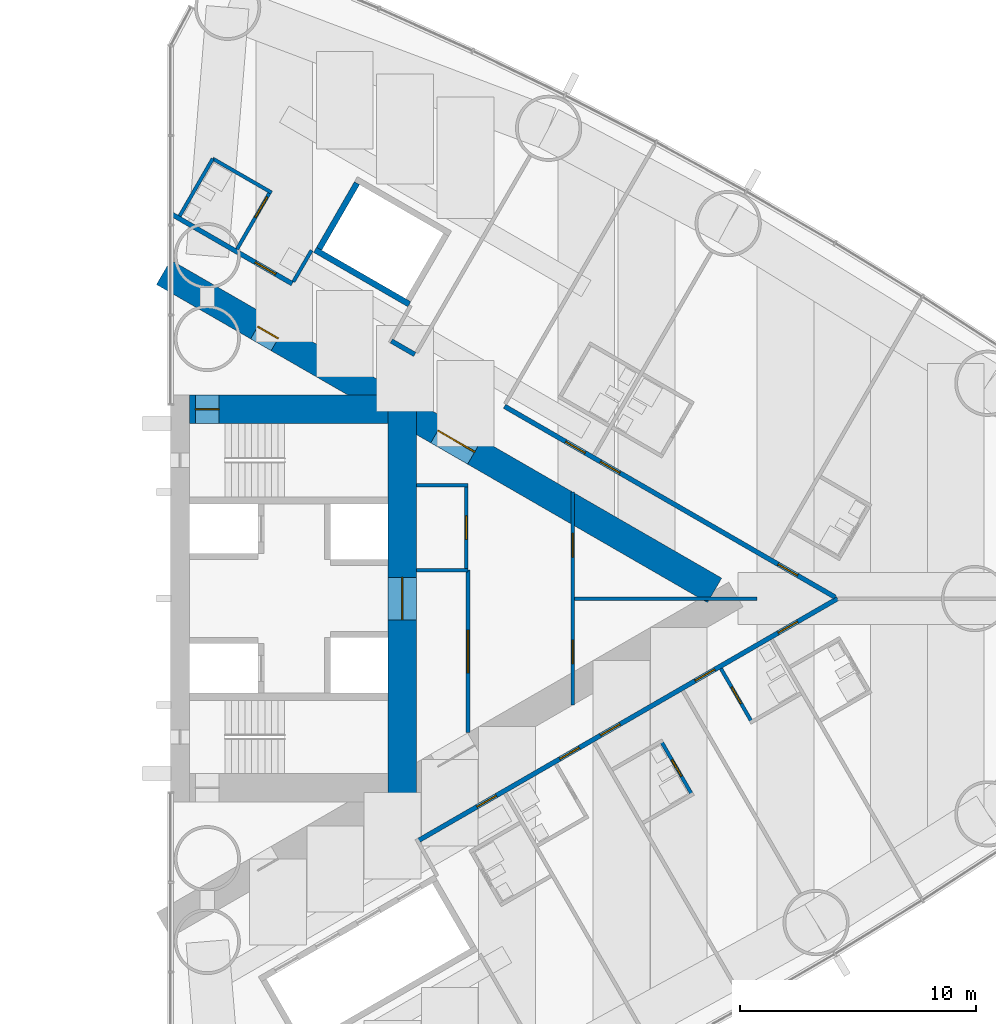
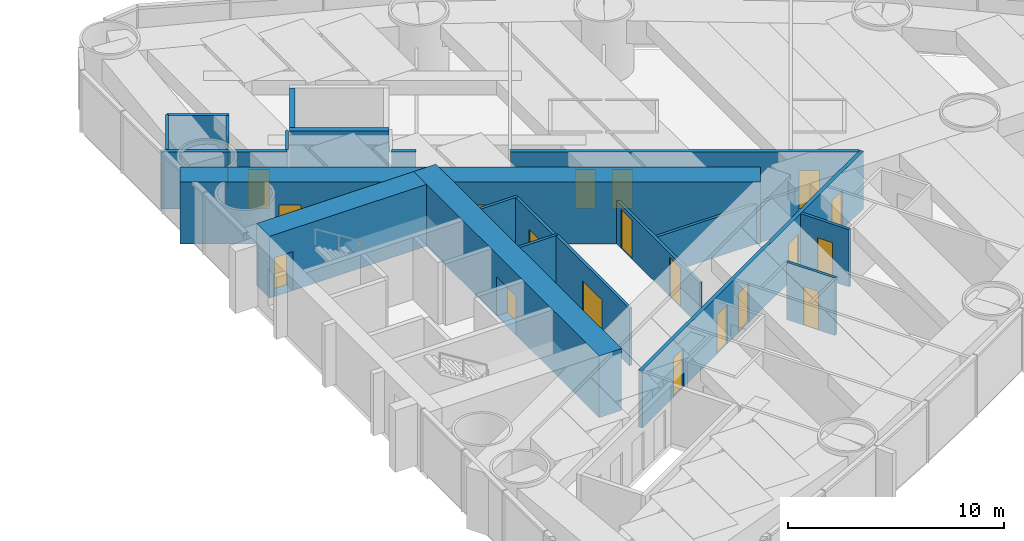
# One storey, part 15 of 19: 21 walls, 20 doors, 20 openings.
"""IFC4 building model written with IfcOpenShell, lengths in metres."""

from ifc_helpers import new_model, si_unit, direction, frame, frame_2d, origin, place, context, subcontext, project, spatial, rectangle, extrude, material, layer, layer_set, type_object, element, fill, save


model = new_model("IFC4")

# Units and contexts
model_context = context("Model", 3, precision=1e-05, world=origin(), true_north=direction((0.0, 1.0)))
body_context = subcontext(model_context, "Body", "Model", "MODEL_VIEW")
ifc_project = project(units=[si_unit("LENGTHUNIT", "METRE"), si_unit("AREAUNIT", "SQUARE_METRE"), si_unit("VOLUMEUNIT", "CUBIC_METRE"), si_unit("PLANEANGLEUNIT", "RADIAN"), si_unit("MASSUNIT", "GRAM", prefix="KILO")], contexts=[model_context])

# Site, building, storey
site_placement = place(None, origin())
site = spatial("IfcSite", under=ifc_project, at=site_placement, CompositionType="ELEMENT")
building_placement = place(site_placement, origin())
building = spatial("IfcBuilding", under=site, at=building_placement, Name="Lancet Gate Hotel", CompositionType="ELEMENT")
storey_placement = place(building_placement, frame((0.0, 0.0, 63.5)))
storey = spatial("IfcBuildingStorey", under=building, at=storey_placement, Name="L16", CompositionType="ELEMENT", Elevation=63.5)

# Wall, opening, door
ifc_material_1 = material(Name="Moisture resistant board partition")
ifc_layer_1 = layer(ifc_material_1, 0.14990234375)
ifc_layer_set_1 = layer_set([ifc_layer_1], Name="Bathroom wall 150")
wall_type_1 = type_object("IfcWallType", Name="Bathroom wall 150", PredefinedType="PARTITIONING", material=ifc_layer_set_1)
wall_1_placement = place(storey_placement, frame((48.246337890625, -6.03662109375, 0.0), z_axis=(0.0, 0.0, 1.0), x_axis=(0.500006934395, -0.866021400173, 0.0)))
wall_1 = element("IfcWall", 1, at=wall_1_placement, inside=storey, type_object=wall_type_1, Name="T2 bathroom wall 150 L16", PredefinedType="PARTITIONING", context=body_context, shape_type="SweptSolid", body=[
    extrude(rectangle(XDim=2.60009765625, YDim=0.14990234375, at=frame_2d((1.300048828125, 0.0))), origin(), (0.0, 0.0, 1.0), 3.25),
])
opening_1_placement = place(wall_1_placement, frame((0.89990234375, 0.0, 0.0)))
opening_1 = element("IfcOpeningElement", 2, at=opening_1_placement, cuts=wall_1, Name="Opening 1655-B", PredefinedType="OPENING", context=body_context, shape_type="SweptSolid", body=[
    extrude(rectangle(XDim=0.800048828125, YDim=2.199951171875, at=frame_2d((0.39990234375, 1.10009765625))), frame((0.0, 0.0849609375, 0.0), z_axis=(0.0, -1.0, 0.0), x_axis=(1.0, 0.0, 0.0)), (0.0, 0.0, 1.0), 0.169921875),
])
ifc_material_2 = material(Name="Timber door set", Category="wood")
door_type_1 = type_object("IfcDoorType", Name="Bathroom door 800", OperationType="SINGLE_SWING_RIGHT", PredefinedType="DOOR", material=ifc_material_2)
door_1_placement = place(opening_1_placement, origin())
door_1 = element("IfcDoor", 3, at=door_1_placement, inside=storey, type_object=door_type_1, Name="1655-B", OperationType="SINGLE_SWING_RIGHT", OverallHeight=2.199951171875, OverallWidth=0.800048828125, PredefinedType="DOOR", context=body_context, shape_type="SweptSolid", body=[
    extrude(rectangle(XDim=0.800048828125, YDim=2.199951171875, at=frame_2d((0.39990234375, 1.10009765625))), frame((0.0, 0.02490234375, 0.0), z_axis=(0.0, -1.0, 0.0), x_axis=(1.0, 0.0, 0.0)), (0.0, 0.0, 1.0), 0.050048828125),
])
fill(opening_1, door_1)

wall_2_placement = place(storey_placement, frame((50.771240234375, -2.96240234375, 0.0), z_axis=(0.0, 0.0, 1.0), x_axis=(0.500006934395, -0.866021400173, 0.0)))
wall_2 = element("IfcWall", 4, at=wall_2_placement, inside=storey, type_object=wall_type_1, Name="T2 bathroom wall 150 L16", PredefinedType="PARTITIONING", context=body_context, shape_type="SweptSolid", body=[
    extrude(rectangle(XDim=2.60009765625, YDim=0.14990234375, at=frame_2d((1.300048828125, 0.0))), origin(), (0.0, 0.0, 1.0), 3.25),
])
opening_2_placement = place(wall_2_placement, frame((0.89990234375, 0.0, 0.0)))
opening_2 = element("IfcOpeningElement", 5, at=opening_2_placement, cuts=wall_2, Name="Opening 1656-B", PredefinedType="OPENING", context=body_context, shape_type="SweptSolid", body=[
    extrude(rectangle(XDim=0.800048828125, YDim=2.199951171875, at=frame_2d((0.39990234375, 1.10009765625))), frame((0.0, 0.0849609375, 0.0), z_axis=(0.0, -1.0, 0.0), x_axis=(1.0, 0.0, 0.0)), (0.0, 0.0, 1.0), 0.169921875),
])
door_2_placement = place(opening_2_placement, origin())
door_2 = element("IfcDoor", 6, at=door_2_placement, inside=storey, type_object=door_type_1, Name="1656-B", OperationType="SINGLE_SWING_RIGHT", OverallHeight=2.199951171875, OverallWidth=0.800048828125, PredefinedType="DOOR", context=body_context, shape_type="SweptSolid", body=[
    extrude(rectangle(XDim=0.800048828125, YDim=2.199951171875, at=frame_2d((0.39990234375, 1.10009765625))), frame((0.0, 0.02490234375, 0.0), z_axis=(0.0, -1.0, 0.0), x_axis=(1.0, 0.0, 0.0)), (0.0, 0.0, 1.0), 0.050048828125),
])
fill(opening_2, door_2)

# Wall
wall_3_placement = place(storey_placement, frame((29.281982421875, 18.6025390625, 0.0), z_axis=(0.0, 0.0, 1.0), x_axis=(0.866018712932, -0.500011588718, 0.0)))
element("IfcWall", 7, at=wall_3_placement, inside=storey, type_object=wall_type_1, Name="T2 bathroom wall 150 L16", PredefinedType="PARTITIONING", context=body_context, shape_type="SweptSolid", body=[
    extrude(rectangle(XDim=2.875, YDim=0.14990234375, at=frame_2d((1.4375, 0.0))), origin(), (0.0, 0.0, 1.0), 3.25),
])

# Wall, opening, door
wall_4_placement = place(storey_placement, frame((30.306640625, 14.777587890625, 0.0), z_axis=(0.0, 0.0, 1.0), x_axis=(0.500049511043, 0.865996816683, 0.0)))
wall_4 = element("IfcWall", 8, at=wall_4_placement, inside=storey, type_object=wall_type_1, Name="T2 bathroom wall 150 L16", PredefinedType="PARTITIONING", context=body_context, shape_type="SweptSolid", body=[
    extrude(rectangle(XDim=2.800048828125, YDim=0.14990234375, at=frame_2d((1.39990234375, 0.0))), origin(), (0.0, 0.0, 1.0), 3.25),
])
opening_3_placement = place(wall_4_placement, frame((1.550048828125, 0.0, 0.0)))
opening_3 = element("IfcOpeningElement", 9, at=opening_3_placement, cuts=wall_4, Name="Opening 1663-B", PredefinedType="OPENING", context=body_context, shape_type="SweptSolid", body=[
    extrude(rectangle(XDim=1.0, YDim=2.199951171875, at=frame_2d((0.5, 1.10009765625))), frame((0.0, 0.0849609375, 0.0), z_axis=(0.0, -1.0, 0.0), x_axis=(1.0, 0.0, 0.0)), (0.0, 0.0, 1.0), 0.169921875),
])
ifc_material_3 = material(Name="Timber door set", Category="wood")
door_type_2 = type_object("IfcDoorType", Name="Accessible en-suite door 1000", OperationType="SINGLE_SWING_RIGHT", PredefinedType="DOOR", material=ifc_material_3)
door_3_placement = place(opening_3_placement, origin())
door_3 = element("IfcDoor", 10, at=door_3_placement, inside=storey, type_object=door_type_2, Name="1663-B", OperationType="SINGLE_SWING_RIGHT", OverallHeight=2.199951171875, OverallWidth=1.0, PredefinedType="DOOR", context=body_context, shape_type="SweptSolid", body=[
    extrude(rectangle(XDim=1.0, YDim=2.199951171875, at=frame_2d((0.5, 1.10009765625))), frame((0.0, 0.02490234375, 0.0), z_axis=(0.0, -1.0, 0.0), x_axis=(1.0, 0.0, 0.0)), (0.0, 0.0, 1.0), 0.050048828125),
])
fill(opening_3, door_3)

# Wall
wall_5_placement = place(storey_placement, frame((27.8818359375, 16.177490234375, 0.0), z_axis=(0.0, 0.0, 1.0), x_axis=(0.500011755427, 0.866018616679, 0.0)))
element("IfcWall", 11, at=wall_5_placement, inside=storey, type_object=wall_type_1, Name="T2 bathroom wall 150 L16", PredefinedType="PARTITIONING", context=body_context, shape_type="SweptSolid", body=[
    extrude(rectangle(XDim=2.80029296875, YDim=0.14990234375, at=frame_2d((1.400146484375, 0.0))), origin(), (0.0, 0.0, 1.0), 3.25),
])

# Wall, openings, doors
ifc_material_4 = material(Name="Concrete C70/85", Category="concrete")
ifc_layer_2 = layer(ifc_material_4, 1.199951171875)
ifc_layer_set_2 = layer_set([ifc_layer_2], Name="Buttress wall 1200")
wall_type_2 = type_object("IfcWallType", Name="Buttress wall 1200", PredefinedType="SHEAR", material=ifc_layer_set_2)
wall_6_placement = place(storey_placement, frame((27.199951171875, 13.800048828125, 0.0), z_axis=(0.0, 0.0, 1.0), x_axis=(0.866024515034, -0.500001539357, 0.0)))
wall_6 = element("IfcWall", 12, at=wall_6_placement, inside=storey, type_object=wall_type_2, Name="T2 buttress wall N L16", PredefinedType="SHEAR", context=body_context, shape_type="SweptSolid", body=[
    extrude(rectangle(XDim=26.9072265625, YDim=1.199951171875, at=frame_2d((13.45361328125, 0.0))), origin(), (0.0, 0.0, 1.0), 3.5),
])
opening_4_placement = place(wall_6_placement, frame((4.60009765625, 0.0, 0.0)))
opening_4 = element("IfcOpeningElement", 13, at=opening_4_placement, cuts=wall_6, Name="Opening T2-L16-LN", PredefinedType="OPENING", context=body_context, shape_type="SweptSolid", body=[
    extrude(rectangle(XDim=1.0, YDim=2.199951171875, at=frame_2d((0.5, 1.10009765625))), frame((0.0, 0.60986328125, 0.0), z_axis=(0.0, -1.0, 0.0), x_axis=(1.0, 0.0, 0.0)), (0.0, 0.0, 1.0), 1.219970703125),
])
opening_5_placement = place(wall_6_placement, frame((13.39453125, 0.0, 0.0)))
opening_5 = element("IfcOpeningElement", 14, at=opening_5_placement, cuts=wall_6, Name="Opening T2-L16-LHN", PredefinedType="OPENING", context=body_context, shape_type="SweptSolid", body=[
    extrude(rectangle(XDim=1.800048828125, YDim=2.199951171875, at=frame_2d((0.89990234375, 1.10009765625))), frame((0.0, 0.60986328125, 0.0), z_axis=(0.0, -1.0, 0.0), x_axis=(1.0, 0.0, 0.0)), (0.0, 0.0, 1.0), 1.219970703125),
])
ifc_material_5 = material(Name="Timber door set", Category="wood")
door_type_3 = type_object("IfcDoorType", Name="Lobby double door 1800", OperationType="DOUBLE_DOOR_SINGLE_SWING", PredefinedType="DOOR", material=ifc_material_5)
door_4_placement = place(opening_5_placement, origin())
door_4 = element("IfcDoor", 15, at=door_4_placement, inside=storey, type_object=door_type_3, Name="T2-L16-LHN", OperationType="DOUBLE_DOOR_SINGLE_SWING", OverallHeight=2.199951171875, OverallWidth=1.800048828125, PredefinedType="DOOR", context=body_context, shape_type="SweptSolid", body=[
    extrude(rectangle(XDim=1.800048828125, YDim=2.199951171875, at=frame_2d((0.89990234375, 1.10009765625))), frame((0.0, 0.02490234375, 0.0), z_axis=(0.0, -1.0, 0.0), x_axis=(1.0, 0.0, 0.0)), (0.0, 0.0, 1.0), 0.050048828125),
])
fill(opening_5, door_4)
ifc_material_6 = material(Name="Timber door set", Category="wood")
door_type_4 = type_object("IfcDoorType", Name="Stair lobby door 1000", OperationType="SINGLE_SWING_LEFT", PredefinedType="DOOR", material=ifc_material_6)
door_5_placement = place(opening_4_placement, origin())
door_5 = element("IfcDoor", 16, at=door_5_placement, inside=storey, type_object=door_type_4, Name="T2-L16-LN", OperationType="SINGLE_SWING_LEFT", OverallHeight=2.199951171875, OverallWidth=1.0, PredefinedType="DOOR", context=body_context, shape_type="SweptSolid", body=[
    extrude(rectangle(XDim=1.0, YDim=2.199951171875, at=frame_2d((0.5, 1.10009765625))), frame((0.0, 0.02490234375, 0.0), z_axis=(0.0, -1.0, 0.0), x_axis=(1.0, 0.0, 0.0)), (0.0, 0.0, 1.0), 0.050048828125),
])
fill(opening_4, door_5)

# Wall, opening, door
ifc_material_7 = material(Name="Concrete C70/85", Category="concrete")
ifc_layer_3 = layer(ifc_material_7, 1.199951171875)
ifc_layer_set_3 = layer_set([ifc_layer_3], Name="Core wall 1200")
wall_type_3 = type_object("IfcWallType", Name="Core wall 1200", PredefinedType="SHEAR", material=ifc_layer_set_3)
wall_7_placement = place(storey_placement, frame((37.300048828125, -8.60009765625, 0.0), z_axis=(0.0, 0.0, 1.0), x_axis=(0.0, 1.0, 0.0)))
wall_7 = element("IfcWall", 17, at=wall_7_placement, inside=storey, type_object=wall_type_3, Name="T2 core wall back L16", PredefinedType="SHEAR", context=body_context, shape_type="SweptSolid", body=[
    extrude(rectangle(XDim=17.2001953125, YDim=1.199951171875, at=frame_2d((8.60009765625, 0.0))), origin(), (0.0, 0.0, 1.0), 3.5),
])
opening_6_placement = place(wall_7_placement, frame((7.699951171875, 0.0, 0.0)))
opening_6 = element("IfcOpeningElement", 18, at=opening_6_placement, cuts=wall_7, Name="Opening T2-L16-LL", PredefinedType="OPENING", context=body_context, shape_type="SweptSolid", body=[
    extrude(rectangle(XDim=1.800048828125, YDim=2.199951171875, at=frame_2d((0.89990234375, 1.10009765625))), frame((0.0, 0.60986328125, 0.0), z_axis=(0.0, -1.0, 0.0), x_axis=(1.0, 0.0, 0.0)), (0.0, 0.0, 1.0), 1.219970703125),
])
door_6_placement = place(opening_6_placement, origin())
door_6 = element("IfcDoor", 19, at=door_6_placement, inside=storey, type_object=door_type_3, Name="T2-L16-LL", OperationType="DOUBLE_DOOR_SINGLE_SWING", OverallHeight=2.199951171875, OverallWidth=1.800048828125, PredefinedType="DOOR", context=body_context, shape_type="SweptSolid", body=[
    extrude(rectangle(XDim=1.800048828125, YDim=2.199951171875, at=frame_2d((0.89990234375, 1.10009765625))), frame((0.0, 0.02490234375, 0.0), z_axis=(0.0, -1.0, 0.0), x_axis=(1.0, 0.0, 0.0)), (0.0, 0.0, 1.0), 0.050048828125),
])
fill(opening_6, door_6)

wall_8_placement = place(storey_placement, frame((28.300048828125, 8.0, 0.0), z_axis=(0.0, 0.0, 1.0), x_axis=(1.0, 0.0, 0.0)))
wall_8 = element("IfcWall", 20, at=wall_8_placement, inside=storey, type_object=wall_type_3, Name="T2 core wall side-N L16", PredefinedType="SHEAR", context=body_context, shape_type="SweptSolid", body=[
    extrude(rectangle(XDim=8.39990234375, YDim=1.199951171875, at=frame_2d((4.199951171875, 0.0))), origin(), (0.0, 0.0, 1.0), 3.5),
])
opening_7_placement = place(wall_8_placement, frame((0.25, 0.0, 0.0)))
opening_7 = element("IfcOpeningElement", 21, at=opening_7_placement, cuts=wall_8, Name="Opening T2-L16-ST2", PredefinedType="OPENING", context=body_context, shape_type="SweptSolid", body=[
    extrude(rectangle(XDim=1.0, YDim=2.199951171875, at=frame_2d((0.5, 1.10009765625))), frame((0.0, 0.60986328125, 0.0), z_axis=(0.0, -1.0, 0.0), x_axis=(1.0, 0.0, 0.0)), (0.0, 0.0, 1.0), 1.219970703125),
])
ifc_material_8 = material(Name="Timber door set", Category="wood")
door_type_5 = type_object("IfcDoorType", Name="Stair door 1000", OperationType="SINGLE_SWING_RIGHT", PredefinedType="DOOR", material=ifc_material_8)
door_7_placement = place(opening_7_placement, origin())
door_7 = element("IfcDoor", 22, at=door_7_placement, inside=storey, type_object=door_type_5, Name="T2-L16-ST2", OperationType="SINGLE_SWING_RIGHT", OverallHeight=2.199951171875, OverallWidth=1.0, PredefinedType="DOOR", context=body_context, shape_type="SweptSolid", body=[
    extrude(rectangle(XDim=1.0, YDim=2.199951171875, at=frame_2d((0.5, 1.10009765625))), frame((0.0, 0.02490234375, 0.0), z_axis=(0.0, -1.0, 0.0), x_axis=(1.0, 0.0, 0.0)), (0.0, 0.0, 1.0), 0.050048828125),
])
fill(opening_7, door_7)

# Wall, openings, doors
ifc_material_9 = material(Name="Gypsum board partition")
ifc_layer_4 = layer(ifc_material_9, 0.199951171875)
ifc_layer_set_4 = layer_set([ifc_layer_4], Name="Corridor wall 200")
wall_type_4 = type_object("IfcWallType", Name="Corridor wall 200", PredefinedType="PARTITIONING", material=ifc_layer_set_4)
wall_9_placement = place(storey_placement, frame((37.9599609375, -10.243408203125, 0.0), z_axis=(0.0, 0.0, 1.0), x_axis=(0.866026429433, 0.499998223521, 0.0)))
wall_9 = element("IfcWall", 23, at=wall_9_placement, inside=storey, type_object=wall_type_4, Name="T2 corridor wall 200 L16", PredefinedType="PARTITIONING", context=body_context, shape_type="SweptSolid", body=[
    extrude(rectangle(XDim=20.48681640625, YDim=0.199951171875, at=frame_2d((10.243408203125, 0.0))), origin(), (0.0, 0.0, 1.0), 3.25),
])
opening_8_placement = place(wall_9_placement, frame((6.925048828125, 0.0, 0.0)))
opening_8 = element("IfcOpeningElement", 24, at=opening_8_placement, cuts=wall_9, Name="Opening 1654-E", PredefinedType="OPENING", context=body_context, shape_type="SweptSolid", body=[
    extrude(rectangle(XDim=0.949951171875, YDim=2.199951171875, at=frame_2d((0.47509765625, 1.10009765625))), frame((0.0, 0.10986328125, 0.0), z_axis=(0.0, -1.0, 0.0), x_axis=(1.0, 0.0, 0.0)), (0.0, 0.0, 1.0), 0.219970703125),
])
opening_9_placement = place(wall_9_placement, frame((8.91162109375, 0.0, 0.0)))
opening_9 = element("IfcOpeningElement", 25, at=opening_9_placement, cuts=wall_9, Name="Opening 1655-E", PredefinedType="OPENING", context=body_context, shape_type="SweptSolid", body=[
    extrude(rectangle(XDim=0.949951171875, YDim=2.199951171875, at=frame_2d((0.47509765625, 1.10009765625))), frame((0.0, 0.10986328125, 0.0), z_axis=(0.0, -1.0, 0.0), x_axis=(1.0, 0.0, 0.0)), (0.0, 0.0, 1.0), 0.219970703125),
])
opening_10_placement = place(wall_9_placement, frame((13.535400390625, 0.0, 0.0)))
opening_10 = element("IfcOpeningElement", 26, at=opening_10_placement, cuts=wall_9, Name="Opening 1656-E", PredefinedType="OPENING", context=body_context, shape_type="SweptSolid", body=[
    extrude(rectangle(XDim=0.949951171875, YDim=2.199951171875, at=frame_2d((0.47509765625, 1.10009765625))), frame((0.0, 0.10986328125, 0.0), z_axis=(0.0, -1.0, 0.0), x_axis=(1.0, 0.0, 0.0)), (0.0, 0.0, 1.0), 0.219970703125),
])
opening_11_placement = place(wall_9_placement, frame((17.58544921875, 0.0, 0.0)))
opening_11 = element("IfcOpeningElement", 27, at=opening_11_placement, cuts=wall_9, Name="Opening 1657-E", PredefinedType="OPENING", context=body_context, shape_type="SweptSolid", body=[
    extrude(rectangle(XDim=0.949951171875, YDim=2.199951171875, at=frame_2d((0.47509765625, 1.10009765625))), frame((0.0, 0.10986328125, 0.0), z_axis=(0.0, -1.0, 0.0), x_axis=(1.0, 0.0, 0.0)), (0.0, 0.0, 1.0), 0.219970703125),
])
opening_12_placement = place(wall_9_placement, frame((2.875, 0.0, 0.0)))
opening_12 = element("IfcOpeningElement", 28, at=opening_12_placement, cuts=wall_9, Name="Opening 1653-E", PredefinedType="OPENING", context=body_context, shape_type="SweptSolid", body=[
    extrude(rectangle(XDim=0.949951171875, YDim=2.199951171875, at=frame_2d((0.47509765625, 1.10009765625))), frame((0.0, 0.10986328125, 0.0), z_axis=(0.0, -1.0, 0.0), x_axis=(1.0, 0.0, 0.0)), (0.0, 0.0, 1.0), 0.219970703125),
])
ifc_material_10 = material(Name="Timber door set", Category="wood")
door_type_6 = type_object("IfcDoorType", Name="Guest room entry door 950", OperationType="SINGLE_SWING_LEFT", PredefinedType="DOOR", material=ifc_material_10)
door_8_placement = place(opening_8_placement, origin())
door_8 = element("IfcDoor", 29, at=door_8_placement, inside=storey, type_object=door_type_6, Name="1654-E", OperationType="SINGLE_SWING_LEFT", OverallHeight=2.199951171875, OverallWidth=0.949951171875, PredefinedType="DOOR", context=body_context, shape_type="SweptSolid", body=[
    extrude(rectangle(XDim=0.949951171875, YDim=2.199951171875, at=frame_2d((0.47509765625, 1.10009765625))), frame((0.0, 0.02490234375, 0.0), z_axis=(0.0, -1.0, 0.0), x_axis=(1.0, 0.0, 0.0)), (0.0, 0.0, 1.0), 0.050048828125),
])
fill(opening_8, door_8)
door_9_placement = place(opening_9_placement, origin())
door_9 = element("IfcDoor", 30, at=door_9_placement, inside=storey, type_object=door_type_6, Name="1655-E", OperationType="SINGLE_SWING_LEFT", OverallHeight=2.199951171875, OverallWidth=0.949951171875, PredefinedType="DOOR", context=body_context, shape_type="SweptSolid", body=[
    extrude(rectangle(XDim=0.949951171875, YDim=2.199951171875, at=frame_2d((0.47509765625, 1.10009765625))), frame((0.0, 0.02490234375, 0.0), z_axis=(0.0, -1.0, 0.0), x_axis=(1.0, 0.0, 0.0)), (0.0, 0.0, 1.0), 0.050048828125),
])
fill(opening_9, door_9)
door_10_placement = place(opening_10_placement, origin())
door_10 = element("IfcDoor", 31, at=door_10_placement, inside=storey, type_object=door_type_6, Name="1656-E", OperationType="SINGLE_SWING_LEFT", OverallHeight=2.199951171875, OverallWidth=0.949951171875, PredefinedType="DOOR", context=body_context, shape_type="SweptSolid", body=[
    extrude(rectangle(XDim=0.949951171875, YDim=2.199951171875, at=frame_2d((0.47509765625, 1.10009765625))), frame((0.0, 0.02490234375, 0.0), z_axis=(0.0, -1.0, 0.0), x_axis=(1.0, 0.0, 0.0)), (0.0, 0.0, 1.0), 0.050048828125),
])
fill(opening_10, door_10)
door_11_placement = place(opening_11_placement, origin())
door_11 = element("IfcDoor", 32, at=door_11_placement, inside=storey, type_object=door_type_6, Name="1657-E", OperationType="SINGLE_SWING_LEFT", OverallHeight=2.199951171875, OverallWidth=0.949951171875, PredefinedType="DOOR", context=body_context, shape_type="SweptSolid", body=[
    extrude(rectangle(XDim=0.949951171875, YDim=2.199951171875, at=frame_2d((0.47509765625, 1.10009765625))), frame((0.0, 0.02490234375, 0.0), z_axis=(0.0, -1.0, 0.0), x_axis=(1.0, 0.0, 0.0)), (0.0, 0.0, 1.0), 0.050048828125),
])
fill(opening_11, door_11)
door_12_placement = place(opening_12_placement, origin())
door_12 = element("IfcDoor", 33, at=door_12_placement, inside=storey, type_object=door_type_6, Name="1653-E", OperationType="SINGLE_SWING_LEFT", OverallHeight=2.199951171875, OverallWidth=0.949951171875, PredefinedType="DOOR", context=body_context, shape_type="SweptSolid", body=[
    extrude(rectangle(XDim=0.949951171875, YDim=2.199951171875, at=frame_2d((0.47509765625, 1.10009765625))), frame((0.0, 0.02490234375, 0.0), z_axis=(0.0, -1.0, 0.0), x_axis=(1.0, 0.0, 0.0)), (0.0, 0.0, 1.0), 0.050048828125),
])
fill(opening_12, door_12)

# Wall, opening, door
wall_10_placement = place(storey_placement, frame((27.572021484375, 16.240966796875, 0.0), z_axis=(0.0, 0.0, 1.0), x_axis=(0.866032814021, -0.499987164874, 0.0)))
wall_10 = element("IfcWall", 34, at=wall_10_placement, inside=storey, type_object=wall_type_4, Name="T2 corridor wall 200 L16", PredefinedType="PARTITIONING", context=body_context, shape_type="SweptSolid", body=[
    extrude(rectangle(XDim=5.854736328125, YDim=0.199951171875, at=frame_2d((2.92724609375, 0.0))), origin(), (0.0, 0.0, 1.0), 3.25),
])
opening_13_placement = place(wall_10_placement, frame((4.050048828125, 0.0, 0.0)))
opening_13 = element("IfcOpeningElement", 35, at=opening_13_placement, cuts=wall_10, Name="Opening 1663-E", PredefinedType="OPENING", context=body_context, shape_type="SweptSolid", body=[
    extrude(rectangle(XDim=1.0, YDim=2.199951171875, at=frame_2d((0.5, 1.10009765625))), frame((0.0, 0.10986328125, 0.0), z_axis=(0.0, -1.0, 0.0), x_axis=(1.0, 0.0, 0.0)), (0.0, 0.0, 1.0), 0.219970703125),
])
ifc_material_11 = material(Name="Timber door set", Category="wood")
door_type_7 = type_object("IfcDoorType", Name="Accessible guest room door 1000", OperationType="SINGLE_SWING_LEFT", PredefinedType="DOOR", material=ifc_material_11)
door_13_placement = place(opening_13_placement, origin())
door_13 = element("IfcDoor", 36, at=door_13_placement, inside=storey, type_object=door_type_7, Name="1663-E", OperationType="SINGLE_SWING_LEFT", OverallHeight=2.199951171875, OverallWidth=1.0, PredefinedType="DOOR", context=body_context, shape_type="SweptSolid", body=[
    extrude(rectangle(XDim=1.0, YDim=2.199951171875, at=frame_2d((0.5, 1.10009765625))), frame((0.0, 0.02490234375, 0.0), z_axis=(0.0, -1.0, 0.0), x_axis=(1.0, 0.0, 0.0)), (0.0, 0.0, 1.0), 0.050048828125),
])
fill(opening_13, door_13)

# Wall
wall_11_placement = place(storey_placement, frame((36.833984375, 10.8935546875, 0.0), z_axis=(0.0, 0.0, 1.0), x_axis=(0.866025463095, -0.499999897272, 0.0)))
element("IfcWall", 37, at=wall_11_placement, inside=storey, type_object=wall_type_4, Name="T2 corridor wall 200 L16", PredefinedType="PARTITIONING", context=body_context, shape_type="SweptSolid", body=[
    extrude(rectangle(XDim=1.142578125, YDim=0.199951171875, at=frame_2d((0.5712890625, 0.0))), origin(), (0.0, 0.0, 1.0), 3.25),
])

# Wall, openings, doors
wall_12_placement = place(storey_placement, frame((41.618896484375, 8.130859375, 0.0), z_axis=(0.0, 0.0, 1.0), x_axis=(0.86603245327, -0.499987789734, 0.0)))
wall_12 = element("IfcWall", 38, at=wall_12_placement, inside=storey, type_object=wall_type_4, Name="T2 corridor wall 200 L16", PredefinedType="PARTITIONING", context=body_context, shape_type="SweptSolid", body=[
    extrude(rectangle(XDim=16.14208984375, YDim=0.199951171875, at=frame_2d((8.071044921875, 0.0))), origin(), (0.0, 0.0, 1.0), 3.25),
])
opening_14_placement = place(wall_12_placement, frame((13.3603515625, 0.0, 0.0)))
opening_14 = element("IfcOpeningElement", 39, at=opening_14_placement, cuts=wall_12, Name="Opening 1658-E", PredefinedType="OPENING", context=body_context, shape_type="SweptSolid", body=[
    extrude(rectangle(XDim=0.949951171875, YDim=2.199951171875, at=frame_2d((0.47509765625, 1.10009765625))), frame((0.0, 0.10986328125, 0.0), z_axis=(0.0, -1.0, 0.0), x_axis=(1.0, 0.0, 0.0)), (0.0, 0.0, 1.0), 0.219970703125),
])
opening_15_placement = place(wall_12_placement, frame((4.6865234375, 0.0, 0.0)))
opening_15 = element("IfcOpeningElement", 40, at=opening_15_placement, cuts=wall_12, Name="Opening 1659-E", PredefinedType="OPENING", context=body_context, shape_type="SweptSolid", body=[
    extrude(rectangle(XDim=0.949951171875, YDim=2.199951171875, at=frame_2d((0.47509765625, 1.10009765625))), frame((0.0, 0.10986328125, 0.0), z_axis=(0.0, -1.0, 0.0), x_axis=(1.0, 0.0, 0.0)), (0.0, 0.0, 1.0), 0.219970703125),
])
opening_16_placement = place(wall_12_placement, frame((2.986572265625, 0.0, 0.0)))
opening_16 = element("IfcOpeningElement", 41, at=opening_16_placement, cuts=wall_12, Name="Opening 1661-E", PredefinedType="OPENING", context=body_context, shape_type="SweptSolid", body=[
    extrude(rectangle(XDim=0.949951171875, YDim=2.199951171875, at=frame_2d((0.47509765625, 1.10009765625))), frame((0.0, 0.10986328125, 0.0), z_axis=(0.0, -1.0, 0.0), x_axis=(1.0, 0.0, 0.0)), (0.0, 0.0, 1.0), 0.219970703125),
])
door_14_placement = place(opening_14_placement, origin())
door_14 = element("IfcDoor", 42, at=door_14_placement, inside=storey, type_object=door_type_6, Name="1658-E", OperationType="SINGLE_SWING_LEFT", OverallHeight=2.199951171875, OverallWidth=0.949951171875, PredefinedType="DOOR", context=body_context, shape_type="SweptSolid", body=[
    extrude(rectangle(XDim=0.949951171875, YDim=2.199951171875, at=frame_2d((0.47509765625, 1.10009765625))), frame((0.0, 0.02490234375, 0.0), z_axis=(0.0, -1.0, 0.0), x_axis=(1.0, 0.0, 0.0)), (0.0, 0.0, 1.0), 0.050048828125),
])
fill(opening_14, door_14)
door_15_placement = place(opening_15_placement, origin())
door_15 = element("IfcDoor", 43, at=door_15_placement, inside=storey, type_object=door_type_6, Name="1659-E", OperationType="SINGLE_SWING_LEFT", OverallHeight=2.199951171875, OverallWidth=0.949951171875, PredefinedType="DOOR", context=body_context, shape_type="SweptSolid", body=[
    extrude(rectangle(XDim=0.949951171875, YDim=2.199951171875, at=frame_2d((0.47509765625, 1.10009765625))), frame((0.0, 0.02490234375, 0.0), z_axis=(0.0, -1.0, 0.0), x_axis=(1.0, 0.0, 0.0)), (0.0, 0.0, 1.0), 0.050048828125),
])
fill(opening_15, door_15)
door_16_placement = place(opening_16_placement, origin())
door_16 = element("IfcDoor", 44, at=door_16_placement, inside=storey, type_object=door_type_6, Name="1661-E", OperationType="SINGLE_SWING_LEFT", OverallHeight=2.199951171875, OverallWidth=0.949951171875, PredefinedType="DOOR", context=body_context, shape_type="SweptSolid", body=[
    extrude(rectangle(XDim=0.949951171875, YDim=2.199951171875, at=frame_2d((0.47509765625, 1.10009765625))), frame((0.0, 0.02490234375, 0.0), z_axis=(0.0, -1.0, 0.0), x_axis=(1.0, 0.0, 0.0)), (0.0, 0.0, 1.0), 0.050048828125),
])
fill(opening_16, door_16)

# Walls
ifc_material_12 = material(Name="Gypsum board partition")
ifc_layer_5 = layer(ifc_material_12, 0.25)
ifc_layer_set_5 = layer_set([ifc_layer_5], Name="Lift shaft partition 250")
wall_type_5 = type_object("IfcWallType", Name="Lift shaft partition 250", PredefinedType="PARTITIONING", material=ifc_layer_set_5)
wall_13_placement = place(storey_placement, frame((33.6083984375, 14.747314453125, 0.0), z_axis=(0.0, 0.0, 1.0), x_axis=(0.866043305498, -0.49996899204, 0.0)))
element("IfcWall", 45, at=wall_13_placement, inside=storey, type_object=wall_type_5, Name="T2 lift shaft wall EX L16", PredefinedType="PARTITIONING", context=body_context, shape_type="SweptSolid", body=[
    extrude(rectangle(XDim=4.600341796875, YDim=0.25, at=frame_2d((2.30029296875, 0.0))), origin(), (0.0, 0.0, 1.0), 3.25),
])
wall_14_placement = place(storey_placement, frame((33.779296875, 14.79296875, 0.0), z_axis=(0.0, 0.0, 1.0), x_axis=(0.499929347863, 0.866066190972, 0.0)))
element("IfcWall", 46, at=wall_14_placement, inside=storey, type_object=wall_type_5, Name="T2 lift shaft wall EX L16", PredefinedType="PARTITIONING", context=body_context, shape_type="SweptSolid", body=[
    extrude(rectangle(XDim=3.20068359375, YDim=0.25, at=frame_2d((1.600341796875, 0.0))), origin(), (0.0, 0.0, 1.0), 3.25),
])
ifc_material_13 = material(Name="Gypsum board partition")
ifc_layer_6 = layer(ifc_material_13, 0.14990234375)
ifc_layer_set_6 = layer_set([ifc_layer_6], Name="Service room wall 150")
wall_type_6 = type_object("IfcWallType", Name="Service room wall 150", PredefinedType="PARTITIONING", material=ifc_layer_set_6)
wall_15_placement = place(storey_placement, frame((32.6923828125, 13.400390625, 0.0), z_axis=(0.0, 0.0, 1.0), x_axis=(0.499985008713, 0.866034058835, 0.0)))
element("IfcWall", 47, at=wall_15_placement, inside=storey, type_object=wall_type_6, Name="T2 service room wall 150 L16", PredefinedType="PARTITIONING", context=body_context, shape_type="SweptSolid", body=[
    extrude(rectangle(XDim=1.529296875, YDim=0.14990234375, at=frame_2d((0.7646484375, 0.0))), origin(), (0.0, 0.0, 1.0), 3.25),
])
for number, where, z_axis, x_axis, name in (
    (48, (37.89990234375, 1.199951171875, 0.0), (0.0, 0.0, 1.0), (1.0, 0.0, 0.0), "T2 service room wall 150 L16"),
    (49, (37.89990234375, 4.800048828125, 0.0), (0.0, 0.0, 1.0), (1.0, 0.0, 0.0), "T2 service room wall 150 L16"),
):
    element("IfcWall", number, at=place(storey_placement, frame(where, z_axis=z_axis, x_axis=x_axis)), inside=storey, type_object=wall_type_6, Name=name, PredefinedType="PARTITIONING", context=body_context, shape_type="SweptSolid", body=[
        extrude(rectangle(XDim=2.175048828125, YDim=0.14990234375, at=frame_2d((1.08740234375, 0.0))), origin(), (0.0, 0.0, 1.0), 3.25),
    ])

# Wall, opening, door
wall_16_placement = place(storey_placement, frame((40.0, 1.125, 0.0), z_axis=(0.0, 0.0, 1.0), x_axis=(0.0, 1.0, 0.0)))
wall_16 = element("IfcWall", 50, at=wall_16_placement, inside=storey, type_object=wall_type_6, Name="T2 service room wall 150 L16", PredefinedType="PARTITIONING", context=body_context, shape_type="SweptSolid", body=[
    extrude(rectangle(XDim=3.75, YDim=0.14990234375, at=frame_2d((1.875, 0.0))), origin(), (0.0, 0.0, 1.0), 3.25),
])
opening_17_placement = place(wall_16_placement, frame((1.375, 0.0, 0.0)))
opening_17 = element("IfcOpeningElement", 51, at=opening_17_placement, cuts=wall_16, Name="Opening T2-L16-HRN0", PredefinedType="OPENING", context=body_context, shape_type="SweptSolid", body=[
    extrude(rectangle(XDim=1.0, YDim=2.199951171875, at=frame_2d((0.5, 1.10009765625))), frame((0.0, 0.0849609375, 0.0), z_axis=(0.0, -1.0, 0.0), x_axis=(1.0, 0.0, 0.0)), (0.0, 0.0, 1.0), 0.169921875),
])
ifc_material_14 = material(Name="Timber door set", Category="wood")
door_type_8 = type_object("IfcDoorType", Name="Service door 1000", OperationType="SINGLE_SWING_LEFT", PredefinedType="DOOR", material=ifc_material_14)
door_17_placement = place(opening_17_placement, origin())
door_17 = element("IfcDoor", 52, at=door_17_placement, inside=storey, type_object=door_type_8, Name="T2-L16-HRN0", OperationType="SINGLE_SWING_LEFT", OverallHeight=2.199951171875, OverallWidth=1.0, PredefinedType="DOOR", context=body_context, shape_type="SweptSolid", body=[
    extrude(rectangle(XDim=1.0, YDim=2.199951171875, at=frame_2d((0.5, 1.10009765625))), frame((0.0, 0.02490234375, 0.0), z_axis=(0.0, -1.0, 0.0), x_axis=(1.0, 0.0, 0.0)), (0.0, 0.0, 1.0), 0.050048828125),
])
fill(opening_17, door_17)

wall_17_placement = place(storey_placement, frame((40.074951171875, -5.673828125, 0.0), z_axis=(0.0, 0.0, 1.0), x_axis=(0.0, 1.0, 0.0)))
wall_17 = element("IfcWall", 53, at=wall_17_placement, inside=storey, type_object=wall_type_6, Name="T2 service room wall 150 L16", PredefinedType="PARTITIONING", context=body_context, shape_type="SweptSolid", body=[
    extrude(rectangle(XDim=6.873779296875, YDim=0.14990234375, at=frame_2d((3.43701171875, 0.0))), origin(), (0.0, 0.0, 1.0), 3.25),
])
opening_18_placement = place(wall_17_placement, frame((2.536865234375, 0.0, 0.0)))
opening_18 = element("IfcOpeningElement", 54, at=opening_18_placement, cuts=wall_17, Name="Opening T2-L16-LH", PredefinedType="OPENING", context=body_context, shape_type="SweptSolid", body=[
    extrude(rectangle(XDim=1.800048828125, YDim=2.199951171875, at=frame_2d((0.89990234375, 1.10009765625))), frame((0.0, 0.0849609375, 0.0), z_axis=(0.0, -1.0, 0.0), x_axis=(1.0, 0.0, 0.0)), (0.0, 0.0, 1.0), 0.169921875),
])
door_18_placement = place(opening_18_placement, origin())
door_18 = element("IfcDoor", 55, at=door_18_placement, inside=storey, type_object=door_type_3, Name="T2-L16-LH", OperationType="DOUBLE_DOOR_SINGLE_SWING", OverallHeight=2.199951171875, OverallWidth=1.800048828125, PredefinedType="DOOR", context=body_context, shape_type="SweptSolid", body=[
    extrude(rectangle(XDim=1.800048828125, YDim=2.199951171875, at=frame_2d((0.89990234375, 1.10009765625))), frame((0.0, 0.02490234375, 0.0), z_axis=(0.0, -1.0, 0.0), x_axis=(1.0, 0.0, 0.0)), (0.0, 0.0, 1.0), 0.050048828125),
])
fill(opening_18, door_18)

# Wall, openings, doors
wall_18_placement = place(storey_placement, frame((44.5, -4.504638671875, 0.0), z_axis=(0.0, 0.0, 1.0), x_axis=(0.0, 1.0, 0.0)))
wall_18 = element("IfcWall", 56, at=wall_18_placement, inside=storey, type_object=wall_type_6, Name="T2 service room wall 150 L16", PredefinedType="PARTITIONING", context=body_context, shape_type="SweptSolid", body=[
    extrude(rectangle(XDim=9.00927734375, YDim=0.14990234375, at=frame_2d((4.504638671875, 0.0))), origin(), (0.0, 0.0, 1.0), 2.449951171875),
])
opening_19_placement = place(wall_18_placement, frame((1.752197265625, 0.0, 0.0)))
opening_19 = element("IfcOpeningElement", 57, at=opening_19_placement, cuts=wall_18, Name="Opening T2-L16-SV", PredefinedType="OPENING", context=body_context, shape_type="SweptSolid", body=[
    extrude(rectangle(XDim=1.0, YDim=2.199951171875, at=frame_2d((0.5, 1.10009765625))), frame((0.0, 0.0849609375, 0.0), z_axis=(0.0, -1.0, 0.0), x_axis=(1.0, 0.0, 0.0)), (0.0, 0.0, 1.0), 0.169921875),
])
opening_20_placement = place(wall_18_placement, frame((6.2568359375, 0.0, 0.0)))
opening_20 = element("IfcOpeningElement", 58, at=opening_20_placement, cuts=wall_18, Name="Opening T2-L16-SV2", PredefinedType="OPENING", context=body_context, shape_type="SweptSolid", body=[
    extrude(rectangle(XDim=1.0, YDim=2.199951171875, at=frame_2d((0.5, 1.10009765625))), frame((0.0, 0.0849609375, 0.0), z_axis=(0.0, -1.0, 0.0), x_axis=(1.0, 0.0, 0.0)), (0.0, 0.0, 1.0), 0.169921875),
])
door_19_placement = place(opening_19_placement, origin())
door_19 = element("IfcDoor", 59, at=door_19_placement, inside=storey, type_object=door_type_8, Name="T2-L16-SV", OperationType="SINGLE_SWING_LEFT", OverallHeight=2.199951171875, OverallWidth=1.0, PredefinedType="DOOR", context=body_context, shape_type="SweptSolid", body=[
    extrude(rectangle(XDim=1.0, YDim=2.199951171875, at=frame_2d((0.5, 1.10009765625))), frame((0.0, 0.02490234375, 0.0), z_axis=(0.0, -1.0, 0.0), x_axis=(1.0, 0.0, 0.0)), (0.0, 0.0, 1.0), 0.050048828125),
])
fill(opening_19, door_19)
door_20_placement = place(opening_20_placement, origin())
door_20 = element("IfcDoor", 60, at=door_20_placement, inside=storey, type_object=door_type_8, Name="T2-L16-SV2", OperationType="SINGLE_SWING_LEFT", OverallHeight=2.199951171875, OverallWidth=1.0, PredefinedType="DOOR", context=body_context, shape_type="SweptSolid", body=[
    extrude(rectangle(XDim=1.0, YDim=2.199951171875, at=frame_2d((0.5, 1.10009765625))), frame((0.0, 0.02490234375, 0.0), z_axis=(0.0, -1.0, 0.0), x_axis=(1.0, 0.0, 0.0)), (0.0, 0.0, 1.0), 0.050048828125),
])
fill(opening_20, door_20)

# Wall
wall_19_placement = place(storey_placement, frame((44.574951171875, 0.0, 0.0), z_axis=(0.0, 0.0, 1.0), x_axis=(1.0, 0.0, 0.0)))
element("IfcWall", 61, at=wall_19_placement, inside=storey, type_object=wall_type_6, Name="T2 service room wall 150 L16", PredefinedType="PARTITIONING", context=body_context, shape_type="SweptSolid", body=[
    extrude(rectangle(XDim=7.727294921875, YDim=0.14990234375, at=frame_2d((3.86376953125, 0.0))), origin(), (0.0, 0.0, 1.0), 2.25),
])

save(model, "model.ifc")
